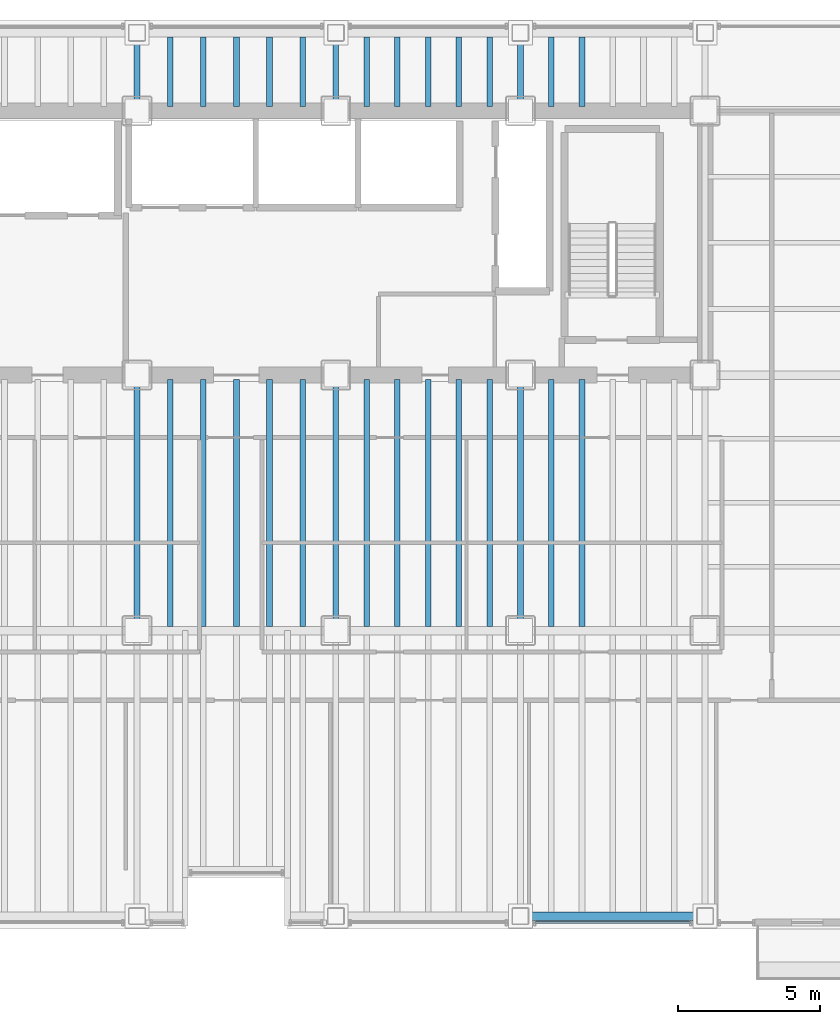
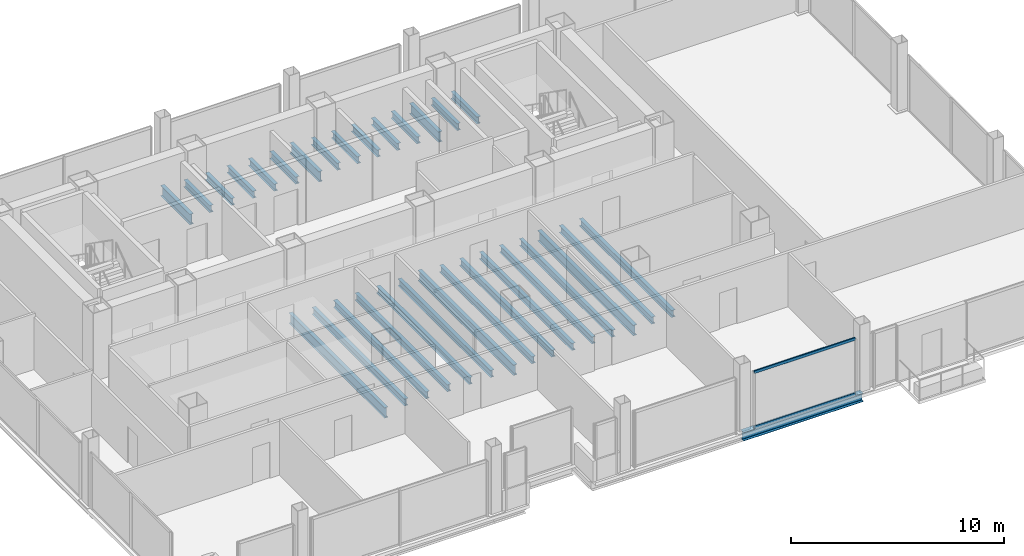
# One storey, part 8 of 22: 31 beams, 2 members, 1 element without a shape of its own.
"""IFC4 building model written with IfcOpenShell, lengths in metres."""

from ifc_helpers import new_model, si_unit, direction, frame, origin, origin_2d, place, context, subcontext, project, spatial, hollow_rectangle, i_section, extrude, material, material_profile, profile_set, type_object, element, aggregate, save


model = new_model("IFC4")

# Units and contexts
model_context = context("Model", 3, precision=1e-05, world=origin(), true_north=direction((0.0, 1.0)))
body_context = subcontext(model_context, "Body", "Model", "MODEL_VIEW")
ifc_project = project(units=[si_unit("LENGTHUNIT", "METRE"), si_unit("AREAUNIT", "SQUARE_METRE"), si_unit("VOLUMEUNIT", "CUBIC_METRE"), si_unit("PLANEANGLEUNIT", "RADIAN"), si_unit("MASSUNIT", "GRAM", prefix="KILO")], contexts=[model_context])

# Site, building, storey
site_placement = place(None, origin())
site = spatial("IfcSite", under=ifc_project, at=site_placement, CompositionType="ELEMENT")
building_placement = place(site_placement, origin())
building = spatial("IfcBuilding", under=site, at=building_placement, Name="Noeulbin Bourse Tower", CompositionType="ELEMENT")
storey_placement = place(building_placement, frame((0.0, 0.0, 88.89990234375)))
storey = spatial("IfcBuildingStorey", under=building, at=storey_placement, Name="L22", CompositionType="ELEMENT", Elevation=88.89990234375)

# Beams
ifc_material_1 = material(Name="Steel S355", Category="steel")
ifc_material_profile_1 = material_profile(ifc_material_1, i_section(OverallWidth=0.199951171875, OverallDepth=0.60009765625, WebThickness=0.010986328125, FlangeThickness=0.01708984375, FilletRadius=0.02197265625, at=origin_2d()), Name="H-600x200x11x17", Category="LoadBearing")
ifc_profile_set_1 = profile_set([ifc_material_profile_1], Name="Steel S355")
beam_type_1 = type_object("IfcBeamType", Name="BM-GRD-600", PredefinedType="USERDEFINED", material=ifc_profile_set_1)
beam_1_placement = place(storey_placement, frame((24.0, 20.0, -0.47998046875), z_axis=(0.0, 1.0, 0.0), x_axis=(-1.0, 0.0, 0.0)))
element("IfcBeam", 1, at=beam_1_placement, inside=storey, type_object=beam_type_1, Name="Tower Primary Girder NS L22-2.2", ObjectType="GIRDER", PredefinedType="USERDEFINED", context=body_context, shape_type="SweptSolid", body=[
    extrude(i_section(OverallWidth=0.199951171875, OverallDepth=0.60009765625, WebThickness=0.010986328125, FlangeThickness=0.01708984375, FilletRadius=0.02197265625, at=origin_2d()), origin(), (0.0, 0.0, 1.0), 9.0),
])
beam_2_placement = place(storey_placement, frame((24.0, 38.300048828125, -0.47998046875), z_axis=(0.0, 1.0, 0.0), x_axis=(-1.0, 0.0, 0.0)))
element("IfcBeam", 2, at=beam_2_placement, inside=storey, type_object=beam_type_1, Name="Tower Primary Girder NS L22-2.4", ObjectType="GIRDER", PredefinedType="USERDEFINED", context=body_context, shape_type="SweptSolid", body=[
    extrude(i_section(OverallWidth=0.199951171875, OverallDepth=0.60009765625, WebThickness=0.010986328125, FlangeThickness=0.01708984375, FilletRadius=0.02197265625, at=origin_2d()), origin(), (0.0, 0.0, 1.0), 2.75),
])
beam_3_placement = place(storey_placement, frame((31.0, 20.0, -0.47998046875), z_axis=(0.0, 1.0, 0.0), x_axis=(-1.0, 0.0, 0.0)))
element("IfcBeam", 3, at=beam_3_placement, inside=storey, type_object=beam_type_1, Name="Tower Primary Girder NS L22-3.2", ObjectType="GIRDER", PredefinedType="USERDEFINED", context=body_context, shape_type="SweptSolid", body=[
    extrude(i_section(OverallWidth=0.199951171875, OverallDepth=0.60009765625, WebThickness=0.010986328125, FlangeThickness=0.01708984375, FilletRadius=0.02197265625, at=origin_2d()), origin(), (0.0, 0.0, 1.0), 9.0),
])
beam_4_placement = place(storey_placement, frame((31.0, 38.300048828125, -0.47998046875), z_axis=(0.0, 1.0, 0.0), x_axis=(-1.0, 0.0, 0.0)))
element("IfcBeam", 4, at=beam_4_placement, inside=storey, type_object=beam_type_1, Name="Tower Primary Girder NS L22-3.4", ObjectType="GIRDER", PredefinedType="USERDEFINED", context=body_context, shape_type="SweptSolid", body=[
    extrude(i_section(OverallWidth=0.199951171875, OverallDepth=0.60009765625, WebThickness=0.010986328125, FlangeThickness=0.01708984375, FilletRadius=0.02197265625, at=origin_2d()), origin(), (0.0, 0.0, 1.0), 2.75),
])
beam_5_placement = place(storey_placement, frame((37.5, 20.0, -0.47998046875), z_axis=(0.0, 1.0, 0.0), x_axis=(-1.0, 0.0, 0.0)))
element("IfcBeam", 5, at=beam_5_placement, inside=storey, type_object=beam_type_1, Name="Tower Primary Girder NS L22-4.2", ObjectType="GIRDER", PredefinedType="USERDEFINED", context=body_context, shape_type="SweptSolid", body=[
    extrude(i_section(OverallWidth=0.199951171875, OverallDepth=0.60009765625, WebThickness=0.010986328125, FlangeThickness=0.01708984375, FilletRadius=0.02197265625, at=origin_2d()), origin(), (0.0, 0.0, 1.0), 9.0),
])
beam_6_placement = place(storey_placement, frame((37.5, 38.300048828125, -0.47998046875), z_axis=(0.0, 1.0, 0.0), x_axis=(-1.0, 0.0, 0.0)))
element("IfcBeam", 6, at=beam_6_placement, inside=storey, type_object=beam_type_1, Name="Tower Primary Girder NS L22-4.4", ObjectType="GIRDER", PredefinedType="USERDEFINED", context=body_context, shape_type="SweptSolid", body=[
    extrude(i_section(OverallWidth=0.199951171875, OverallDepth=0.60009765625, WebThickness=0.010986328125, FlangeThickness=0.01708984375, FilletRadius=0.02197265625, at=origin_2d()), origin(), (0.0, 0.0, 1.0), 2.75),
])
ifc_material_profile_2 = material_profile(ifc_material_1, i_section(OverallWidth=0.199951171875, OverallDepth=0.39990234375, WebThickness=0.008056640625, FlangeThickness=0.012939453125, FilletRadius=0.01611328125, at=origin_2d()), Name="H-400x200x8x13", Category="LoadBearing")
ifc_profile_set_2 = profile_set([ifc_material_profile_2], Name="Steel S355")
beam_type_2 = type_object("IfcBeamType", Name="BM-SEC-400", PredefinedType="BEAM", material=ifc_profile_set_2)
beam_7_placement = place(storey_placement, frame((25.166748046875, 20.14990234375, -0.3798828125), z_axis=(0.0, 1.0, 0.0), x_axis=(-1.0, 0.0, 0.0)))
element("IfcBeam", 7, at=beam_7_placement, inside=storey, type_object=beam_type_2, Name="Tower Composite Joist L22-26", PredefinedType="BEAM", context=body_context, shape_type="SweptSolid", body=[
    extrude(i_section(OverallWidth=0.199951171875, OverallDepth=0.39990234375, WebThickness=0.008056640625, FlangeThickness=0.012939453125, FilletRadius=0.01611328125, at=origin_2d()), origin(), (0.0, 0.0, 1.0), 8.7001953125),
])
beam_8_placement = place(storey_placement, frame((25.166748046875, 38.449951171875, -0.3798828125), z_axis=(0.0, 1.0, 0.0), x_axis=(-1.0, 0.0, 0.0)))
element("IfcBeam", 8, at=beam_8_placement, inside=storey, type_object=beam_type_2, Name="Tower Composite Joist L22-27", PredefinedType="BEAM", context=body_context, shape_type="SweptSolid", body=[
    extrude(i_section(OverallWidth=0.199951171875, OverallDepth=0.39990234375, WebThickness=0.008056640625, FlangeThickness=0.012939453125, FilletRadius=0.01611328125, at=origin_2d()), origin(), (0.0, 0.0, 1.0), 2.449951171875),
])
beam_9_placement = place(storey_placement, frame((26.333251953125, 20.14990234375, -0.3798828125), z_axis=(0.0, 1.0, 0.0), x_axis=(-1.0, 0.0, 0.0)))
element("IfcBeam", 9, at=beam_9_placement, inside=storey, type_object=beam_type_2, Name="Tower Composite Joist L22-29", PredefinedType="BEAM", context=body_context, shape_type="SweptSolid", body=[
    extrude(i_section(OverallWidth=0.199951171875, OverallDepth=0.39990234375, WebThickness=0.008056640625, FlangeThickness=0.012939453125, FilletRadius=0.01611328125, at=origin_2d()), origin(), (0.0, 0.0, 1.0), 8.7001953125),
])
beam_10_placement = place(storey_placement, frame((26.333251953125, 38.449951171875, -0.3798828125), z_axis=(0.0, 1.0, 0.0), x_axis=(-1.0, 0.0, 0.0)))
element("IfcBeam", 10, at=beam_10_placement, inside=storey, type_object=beam_type_2, Name="Tower Composite Joist L22-30", PredefinedType="BEAM", context=body_context, shape_type="SweptSolid", body=[
    extrude(i_section(OverallWidth=0.199951171875, OverallDepth=0.39990234375, WebThickness=0.008056640625, FlangeThickness=0.012939453125, FilletRadius=0.01611328125, at=origin_2d()), origin(), (0.0, 0.0, 1.0), 2.449951171875),
])
beam_11_placement = place(storey_placement, frame((27.5, 20.14990234375, -0.3798828125), z_axis=(0.0, 1.0, 0.0), x_axis=(-1.0, 0.0, 0.0)))
element("IfcBeam", 11, at=beam_11_placement, inside=storey, type_object=beam_type_2, Name="Tower Composite Joist L22-32", PredefinedType="BEAM", context=body_context, shape_type="SweptSolid", body=[
    extrude(i_section(OverallWidth=0.199951171875, OverallDepth=0.39990234375, WebThickness=0.008056640625, FlangeThickness=0.012939453125, FilletRadius=0.01611328125, at=origin_2d()), origin(), (0.0, 0.0, 1.0), 8.7001953125),
])
beam_12_placement = place(storey_placement, frame((27.5, 38.449951171875, -0.3798828125), z_axis=(0.0, 1.0, 0.0), x_axis=(-1.0, 0.0, 0.0)))
element("IfcBeam", 12, at=beam_12_placement, inside=storey, type_object=beam_type_2, Name="Tower Composite Joist L22-33", PredefinedType="BEAM", context=body_context, shape_type="SweptSolid", body=[
    extrude(i_section(OverallWidth=0.199951171875, OverallDepth=0.39990234375, WebThickness=0.008056640625, FlangeThickness=0.012939453125, FilletRadius=0.01611328125, at=origin_2d()), origin(), (0.0, 0.0, 1.0), 2.449951171875),
])
beam_13_placement = place(storey_placement, frame((28.666748046875, 20.14990234375, -0.3798828125), z_axis=(0.0, 1.0, 0.0), x_axis=(-1.0, 0.0, 0.0)))
element("IfcBeam", 13, at=beam_13_placement, inside=storey, type_object=beam_type_2, Name="Tower Composite Joist L22-35", PredefinedType="BEAM", context=body_context, shape_type="SweptSolid", body=[
    extrude(i_section(OverallWidth=0.199951171875, OverallDepth=0.39990234375, WebThickness=0.008056640625, FlangeThickness=0.012939453125, FilletRadius=0.01611328125, at=origin_2d()), origin(), (0.0, 0.0, 1.0), 8.7001953125),
])
beam_14_placement = place(storey_placement, frame((28.666748046875, 38.449951171875, -0.3798828125), z_axis=(0.0, 1.0, 0.0), x_axis=(-1.0, 0.0, 0.0)))
element("IfcBeam", 14, at=beam_14_placement, inside=storey, type_object=beam_type_2, Name="Tower Composite Joist L22-36", PredefinedType="BEAM", context=body_context, shape_type="SweptSolid", body=[
    extrude(i_section(OverallWidth=0.199951171875, OverallDepth=0.39990234375, WebThickness=0.008056640625, FlangeThickness=0.012939453125, FilletRadius=0.01611328125, at=origin_2d()), origin(), (0.0, 0.0, 1.0), 2.449951171875),
])
beam_15_placement = place(storey_placement, frame((29.833251953125, 20.14990234375, -0.3798828125), z_axis=(0.0, 1.0, 0.0), x_axis=(-1.0, 0.0, 0.0)))
element("IfcBeam", 15, at=beam_15_placement, inside=storey, type_object=beam_type_2, Name="Tower Composite Joist L22-38", PredefinedType="BEAM", context=body_context, shape_type="SweptSolid", body=[
    extrude(i_section(OverallWidth=0.199951171875, OverallDepth=0.39990234375, WebThickness=0.008056640625, FlangeThickness=0.012939453125, FilletRadius=0.01611328125, at=origin_2d()), origin(), (0.0, 0.0, 1.0), 8.7001953125),
])
beam_16_placement = place(storey_placement, frame((29.833251953125, 38.449951171875, -0.3798828125), z_axis=(0.0, 1.0, 0.0), x_axis=(-1.0, 0.0, 0.0)))
element("IfcBeam", 16, at=beam_16_placement, inside=storey, type_object=beam_type_2, Name="Tower Composite Joist L22-39", PredefinedType="BEAM", context=body_context, shape_type="SweptSolid", body=[
    extrude(i_section(OverallWidth=0.199951171875, OverallDepth=0.39990234375, WebThickness=0.008056640625, FlangeThickness=0.012939453125, FilletRadius=0.01611328125, at=origin_2d()), origin(), (0.0, 0.0, 1.0), 2.449951171875),
])
beam_17_placement = place(storey_placement, frame((32.083251953125, 20.14990234375, -0.3798828125), z_axis=(0.0, 1.0, 0.0), x_axis=(-1.0, 0.0, 0.0)))
element("IfcBeam", 17, at=beam_17_placement, inside=storey, type_object=beam_type_2, Name="Tower Composite Joist L22-41", PredefinedType="BEAM", context=body_context, shape_type="SweptSolid", body=[
    extrude(i_section(OverallWidth=0.199951171875, OverallDepth=0.39990234375, WebThickness=0.008056640625, FlangeThickness=0.012939453125, FilletRadius=0.01611328125, at=origin_2d()), origin(), (0.0, 0.0, 1.0), 8.7001953125),
])
beam_18_placement = place(storey_placement, frame((32.083251953125, 38.449951171875, -0.3798828125), z_axis=(0.0, 1.0, 0.0), x_axis=(-1.0, 0.0, 0.0)))
element("IfcBeam", 18, at=beam_18_placement, inside=storey, type_object=beam_type_2, Name="Tower Composite Joist L22-42", PredefinedType="BEAM", context=body_context, shape_type="SweptSolid", body=[
    extrude(i_section(OverallWidth=0.199951171875, OverallDepth=0.39990234375, WebThickness=0.008056640625, FlangeThickness=0.012939453125, FilletRadius=0.01611328125, at=origin_2d()), origin(), (0.0, 0.0, 1.0), 2.449951171875),
])
beam_19_placement = place(storey_placement, frame((33.166748046875, 20.14990234375, -0.3798828125), z_axis=(0.0, 1.0, 0.0), x_axis=(-1.0, 0.0, 0.0)))
element("IfcBeam", 19, at=beam_19_placement, inside=storey, type_object=beam_type_2, Name="Tower Composite Joist L22-44", PredefinedType="BEAM", context=body_context, shape_type="SweptSolid", body=[
    extrude(i_section(OverallWidth=0.199951171875, OverallDepth=0.39990234375, WebThickness=0.008056640625, FlangeThickness=0.012939453125, FilletRadius=0.01611328125, at=origin_2d()), origin(), (0.0, 0.0, 1.0), 8.7001953125),
])
beam_20_placement = place(storey_placement, frame((33.166748046875, 38.449951171875, -0.3798828125), z_axis=(0.0, 1.0, 0.0), x_axis=(-1.0, 0.0, 0.0)))
element("IfcBeam", 20, at=beam_20_placement, inside=storey, type_object=beam_type_2, Name="Tower Composite Joist L22-45", PredefinedType="BEAM", context=body_context, shape_type="SweptSolid", body=[
    extrude(i_section(OverallWidth=0.199951171875, OverallDepth=0.39990234375, WebThickness=0.008056640625, FlangeThickness=0.012939453125, FilletRadius=0.01611328125, at=origin_2d()), origin(), (0.0, 0.0, 1.0), 2.449951171875),
])
beam_21_placement = place(storey_placement, frame((34.25, 20.14990234375, -0.3798828125), z_axis=(0.0, 1.0, 0.0), x_axis=(-1.0, 0.0, 0.0)))
element("IfcBeam", 21, at=beam_21_placement, inside=storey, type_object=beam_type_2, Name="Tower Composite Joist L22-47", PredefinedType="BEAM", context=body_context, shape_type="SweptSolid", body=[
    extrude(i_section(OverallWidth=0.199951171875, OverallDepth=0.39990234375, WebThickness=0.008056640625, FlangeThickness=0.012939453125, FilletRadius=0.01611328125, at=origin_2d()), origin(), (0.0, 0.0, 1.0), 8.7001953125),
])
beam_22_placement = place(storey_placement, frame((34.25, 38.449951171875, -0.3798828125), z_axis=(0.0, 1.0, 0.0), x_axis=(-1.0, 0.0, 0.0)))
element("IfcBeam", 22, at=beam_22_placement, inside=storey, type_object=beam_type_2, Name="Tower Composite Joist L22-48", PredefinedType="BEAM", context=body_context, shape_type="SweptSolid", body=[
    extrude(i_section(OverallWidth=0.199951171875, OverallDepth=0.39990234375, WebThickness=0.008056640625, FlangeThickness=0.012939453125, FilletRadius=0.01611328125, at=origin_2d()), origin(), (0.0, 0.0, 1.0), 2.449951171875),
])
beam_23_placement = place(storey_placement, frame((35.333251953125, 20.14990234375, -0.3798828125), z_axis=(0.0, 1.0, 0.0), x_axis=(-1.0, 0.0, 0.0)))
element("IfcBeam", 23, at=beam_23_placement, inside=storey, type_object=beam_type_2, Name="Tower Composite Joist L22-50", PredefinedType="BEAM", context=body_context, shape_type="SweptSolid", body=[
    extrude(i_section(OverallWidth=0.199951171875, OverallDepth=0.39990234375, WebThickness=0.008056640625, FlangeThickness=0.012939453125, FilletRadius=0.01611328125, at=origin_2d()), origin(), (0.0, 0.0, 1.0), 8.7001953125),
])
beam_24_placement = place(storey_placement, frame((35.333251953125, 38.449951171875, -0.3798828125), z_axis=(0.0, 1.0, 0.0), x_axis=(-1.0, 0.0, 0.0)))
element("IfcBeam", 24, at=beam_24_placement, inside=storey, type_object=beam_type_2, Name="Tower Composite Joist L22-51", PredefinedType="BEAM", context=body_context, shape_type="SweptSolid", body=[
    extrude(i_section(OverallWidth=0.199951171875, OverallDepth=0.39990234375, WebThickness=0.008056640625, FlangeThickness=0.012939453125, FilletRadius=0.01611328125, at=origin_2d()), origin(), (0.0, 0.0, 1.0), 2.449951171875),
])
beam_25_placement = place(storey_placement, frame((36.416748046875, 20.14990234375, -0.3798828125), z_axis=(0.0, 1.0, 0.0), x_axis=(-1.0, 0.0, 0.0)))
element("IfcBeam", 25, at=beam_25_placement, inside=storey, type_object=beam_type_2, Name="Tower Composite Joist L22-53", PredefinedType="BEAM", context=body_context, shape_type="SweptSolid", body=[
    extrude(i_section(OverallWidth=0.199951171875, OverallDepth=0.39990234375, WebThickness=0.008056640625, FlangeThickness=0.012939453125, FilletRadius=0.01611328125, at=origin_2d()), origin(), (0.0, 0.0, 1.0), 8.7001953125),
])
beam_26_placement = place(storey_placement, frame((36.416748046875, 38.449951171875, -0.3798828125), z_axis=(0.0, 1.0, 0.0), x_axis=(-1.0, 0.0, 0.0)))
element("IfcBeam", 26, at=beam_26_placement, inside=storey, type_object=beam_type_2, Name="Tower Composite Joist L22-54", PredefinedType="BEAM", context=body_context, shape_type="SweptSolid", body=[
    extrude(i_section(OverallWidth=0.199951171875, OverallDepth=0.39990234375, WebThickness=0.008056640625, FlangeThickness=0.012939453125, FilletRadius=0.01611328125, at=origin_2d()), origin(), (0.0, 0.0, 1.0), 2.449951171875),
])
beam_27_placement = place(storey_placement, frame((38.583251953125, 20.14990234375, -0.3798828125), z_axis=(0.0, 1.0, 0.0), x_axis=(-1.0, 0.0, 0.0)))
element("IfcBeam", 27, at=beam_27_placement, inside=storey, type_object=beam_type_2, Name="Tower Composite Joist L22-56", PredefinedType="BEAM", context=body_context, shape_type="SweptSolid", body=[
    extrude(i_section(OverallWidth=0.199951171875, OverallDepth=0.39990234375, WebThickness=0.008056640625, FlangeThickness=0.012939453125, FilletRadius=0.01611328125, at=origin_2d()), origin(), (0.0, 0.0, 1.0), 8.7001953125),
])
beam_28_placement = place(storey_placement, frame((38.583251953125, 38.449951171875, -0.3798828125), z_axis=(0.0, 1.0, 0.0), x_axis=(-1.0, 0.0, 0.0)))
element("IfcBeam", 28, at=beam_28_placement, inside=storey, type_object=beam_type_2, Name="Tower Composite Joist L22-57", PredefinedType="BEAM", context=body_context, shape_type="SweptSolid", body=[
    extrude(i_section(OverallWidth=0.199951171875, OverallDepth=0.39990234375, WebThickness=0.008056640625, FlangeThickness=0.012939453125, FilletRadius=0.01611328125, at=origin_2d()), origin(), (0.0, 0.0, 1.0), 2.449951171875),
])
beam_29_placement = place(storey_placement, frame((39.666748046875, 20.14990234375, -0.3798828125), z_axis=(0.0, 1.0, 0.0), x_axis=(-1.0, 0.0, 0.0)))
element("IfcBeam", 29, at=beam_29_placement, inside=storey, type_object=beam_type_2, Name="Tower Composite Joist L22-59", PredefinedType="BEAM", context=body_context, shape_type="SweptSolid", body=[
    extrude(i_section(OverallWidth=0.199951171875, OverallDepth=0.39990234375, WebThickness=0.008056640625, FlangeThickness=0.012939453125, FilletRadius=0.01611328125, at=origin_2d()), origin(), (0.0, 0.0, 1.0), 8.7001953125),
])
beam_30_placement = place(storey_placement, frame((39.666748046875, 38.449951171875, -0.3798828125), z_axis=(0.0, 1.0, 0.0), x_axis=(-1.0, 0.0, 0.0)))
element("IfcBeam", 30, at=beam_30_placement, inside=storey, type_object=beam_type_2, Name="Tower Composite Joist L22-60", PredefinedType="BEAM", context=body_context, shape_type="SweptSolid", body=[
    extrude(i_section(OverallWidth=0.199951171875, OverallDepth=0.39990234375, WebThickness=0.008056640625, FlangeThickness=0.012939453125, FilletRadius=0.01611328125, at=origin_2d()), origin(), (0.0, 0.0, 1.0), 2.449951171875),
])
ifc_material_profile_3 = material_profile(ifc_material_1, i_section(OverallWidth=0.300048828125, OverallDepth=0.488037109375, WebThickness=0.010986328125, FlangeThickness=0.01806640625, FilletRadius=0.02197265625, at=origin_2d()), Name="H-488x300x11x18", Category="LoadBearing")
ifc_profile_set_3 = profile_set([ifc_material_profile_3], Name="Steel S355")
beam_type_3 = type_object("IfcBeamType", Name="BM-SPN-488", PredefinedType="SPANDREL", material=ifc_profile_set_3)
beam_31_placement = place(storey_placement, frame((37.5, 9.949951171875, -0.423828125), z_axis=(1.0, 0.0, 0.0), x_axis=(0.0, 1.0, 0.0)))
element("IfcBeam", 31, at=beam_31_placement, inside=storey, type_object=beam_type_3, Name="South Spandrel L22-4", PredefinedType="SPANDREL", context=body_context, shape_type="SweptSolid", body=[
    extrude(i_section(OverallWidth=0.300048828125, OverallDepth=0.488037109375, WebThickness=0.010986328125, FlangeThickness=0.01806640625, FilletRadius=0.02197265625, at=origin_2d()), origin(), (0.0, 0.0, 1.0), 6.5),
])

# Curtain wall, members
ifc_material_2 = material(Name="Dark Solar-Control Double Glazing", Category="glass")
curtain_wall_type = type_object("IfcCurtainWallType", Name="CW-SYS-2", PredefinedType="NOTDEFINED", material=ifc_material_2)
curtain_wall_placement = place(storey_placement, origin())
curtain_wall = element("IfcCurtainWall", 32, at=curtain_wall_placement, inside=storey, type_object=curtain_wall_type, Name="Unitised Curtain Wall CW-L22-S2-S3", PredefinedType="NOTDEFINED")
ifc_material_3 = material(Name="Anodised Aluminium 6063-T6", Category="aluminium")
ifc_material_profile_4 = material_profile(ifc_material_3, hollow_rectangle(XDim=0.074951171875, YDim=0.159912109375, WallThickness=0.0048828125, InnerFilletRadius=0.00244140625, OuterFilletRadius=0.0048828125, at=origin_2d()), Name="ALU-TRAN-75x160x5", Category="LoadBearing")
ifc_profile_set_4 = profile_set([ifc_material_profile_4], Name="Anodised Aluminium 6063-T6")
member_type = type_object("IfcMemberType", Name="CW-SYS-2-TRN", PredefinedType="USERDEFINED", material=ifc_profile_set_4)
member_1_placement = place(storey_placement, frame((38.010009765625, 9.719970703125, 0.010009765625), z_axis=(1.0, 0.0, 0.0), x_axis=(0.0, 1.0, 0.0)))
member_1 = element("IfcMember", 33, at=member_1_placement, type_object=member_type, Name="Curtain Wall Transom CW-L22-S2-S3-T00", ObjectType="TRANSOM", PredefinedType="USERDEFINED", context=body_context, shape_type="SweptSolid", body=[
    extrude(hollow_rectangle(XDim=0.074951171875, YDim=0.159912109375, WallThickness=0.0048828125, InnerFilletRadius=0.00244140625, OuterFilletRadius=0.0048828125, at=origin_2d()), origin(), (0.0, 0.0, 1.0), 5.47998046875),
])
member_2_placement = place(storey_placement, frame((38.010009765625, 9.719970703125, 3.170166015625), z_axis=(1.0, 0.0, 0.0), x_axis=(0.0, 1.0, 0.0)))
member_2 = element("IfcMember", 34, at=member_2_placement, type_object=member_type, Name="Curtain Wall Transom CW-L22-S2-S3-T01", ObjectType="TRANSOM", PredefinedType="USERDEFINED", context=body_context, shape_type="SweptSolid", body=[
    extrude(hollow_rectangle(XDim=0.074951171875, YDim=0.159912109375, WallThickness=0.0048828125, InnerFilletRadius=0.00244140625, OuterFilletRadius=0.0048828125, at=origin_2d()), origin(), (0.0, 0.0, 1.0), 5.47998046875),
])
aggregate(curtain_wall, [member_1, member_2])

save(model, "model.ifc")
